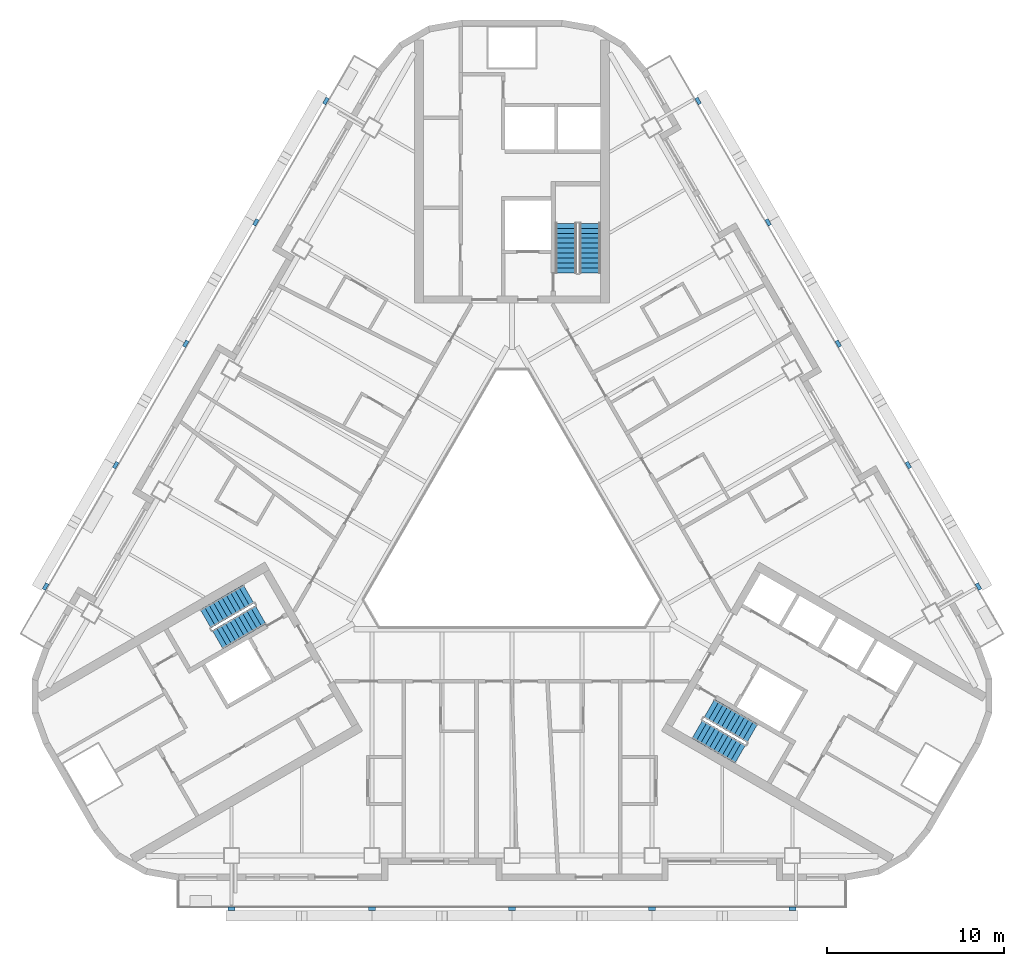
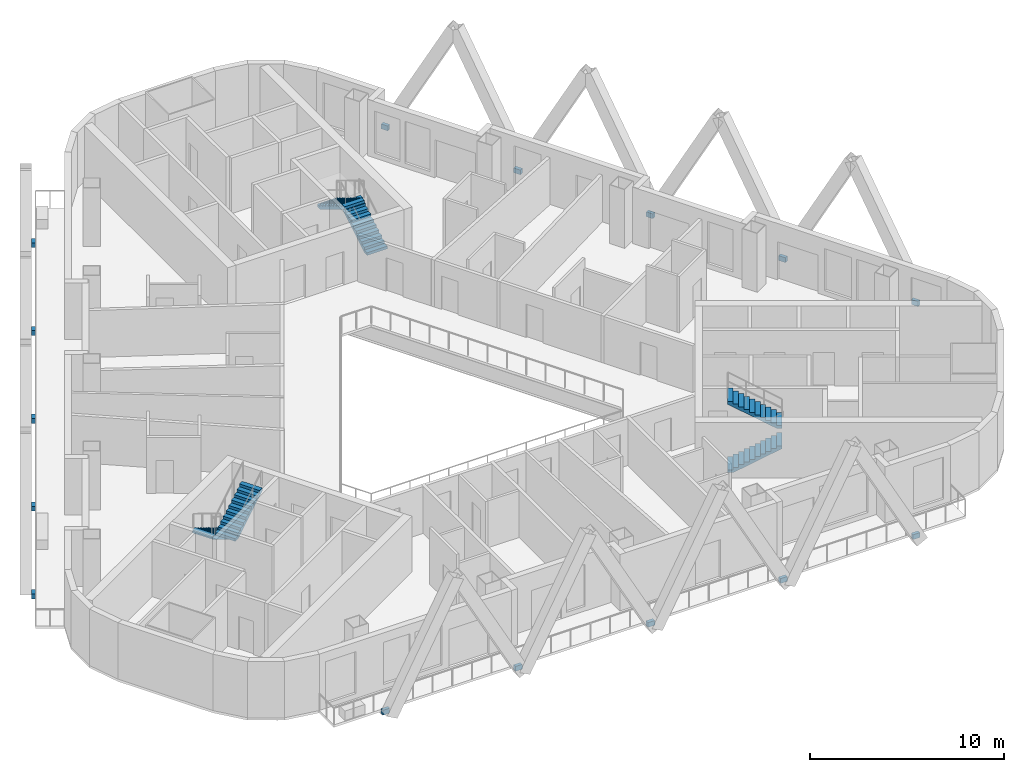
# One storey, part 8 of 14: 15 discrete accessories, 6 stair flights, 3 elements without a shape of their own.
"""IFC4 building model written with IfcOpenShell, lengths in metres."""

from ifc_helpers import new_model, si_unit, direction, frame, origin, origin_2d, place, context, subcontext, project, spatial, polyline, rectangle, outline, extrude, material, type_object, element, aggregate, save


model = new_model("IFC4")

# Units and contexts
model_context = context("Model", 3, precision=1e-05, world=origin(), true_north=direction((0.0, 1.0)))
body_context = subcontext(model_context, "Body", "Model", "MODEL_VIEW")
ifc_project = project(units=[si_unit("LENGTHUNIT", "METRE"), si_unit("AREAUNIT", "SQUARE_METRE"), si_unit("VOLUMEUNIT", "CUBIC_METRE"), si_unit("PLANEANGLEUNIT", "RADIAN"), si_unit("MASSUNIT", "GRAM", prefix="KILO")], contexts=[model_context])

# Site, building, storey
site_placement = place(None, origin())
site = spatial("IfcSite", under=ifc_project, at=site_placement, CompositionType="ELEMENT")
building_placement = place(site_placement, origin())
building = spatial("IfcBuilding", under=site, at=building_placement, Name="Apuvela Tower Hotel", CompositionType="ELEMENT")
storey_placement = place(building_placement, frame((0.0, 0.0, 90.89990234375)))
storey = spatial("IfcBuildingStorey", under=building, at=storey_placement, Name="L20", CompositionType="ELEMENT", Elevation=90.89990234375)

# Stair, stair flights
ifc_material_1 = material(Name="Concrete C50/60", Category="concrete")
stair_type = type_object("IfcStairType", Name="COR-STAIR-22R", PredefinedType="HALF_TURN_STAIR", material=ifc_material_1)
stair_1_placement = place(storey_placement, origin())
stair_1 = element("IfcStair", 1, at=stair_1_placement, inside=storey, type_object=stair_type, Name="L20 Exit stair ST1", PredefinedType="HALF_TURN_STAIR")
stair_flight_type = type_object("IfcStairFlightType", Name="COR-FLIGHT-11R", PredefinedType="STRAIGHT", material=ifc_material_1)
stair_flight_1_placement = place(storey_placement, frame((4.39990234375, 14.60009765625, 0.0), z_axis=(0.0, 0.0, 1.0), x_axis=(0.0, 1.0, 0.0)))
stair_flight_1 = element("IfcStairFlight", 2, at=stair_flight_1_placement, type_object=stair_flight_type, Name="ST1 flight 1", NumberOfRisers=11, NumberOfTreads=10, PredefinedType="STRAIGHT", RiserHeight=0.168181818, TreadLength=0.28, context=body_context, shape_type="SweptSolid", body=[
    extrude(outline(polyline([(0.0, 0.0), (0.0, 0.168212890625), (0.280029296875, 0.168212890625), (0.280029296875, 0.33642578125), (0.56005859375, 0.33642578125), (0.56005859375, 0.504638671875), (0.840087890625, 0.504638671875), (0.840087890625, 0.672607421875), (1.1201171875, 0.672607421875), (1.1201171875, 0.8408203125), (1.39990234375, 0.8408203125), (1.39990234375, 1.009033203125), (1.679931640625, 1.009033203125), (1.679931640625, 1.17724609375), (1.9599609375, 1.17724609375), (1.9599609375, 1.345458984375), (2.239990234375, 1.345458984375), (2.239990234375, 1.513671875), (2.52001953125, 1.513671875), (2.52001953125, 1.681884765625), (2.800048828125, 1.681884765625), (2.800048828125, 1.85009765625), (2.800048828125, 1.5068359375), (0.291015625, 0.0), (0.0, 0.0)])), frame((0.0, 0.60009765625, 0.0), z_axis=(0.0, -1.0, 0.0), x_axis=(1.0, 0.0, 0.0)), (0.0, 0.0, 1.0), 1.199951171875),
])
stair_flight_2_placement = place(storey_placement, frame((3.050048828125, 17.39990234375, 1.85009765625), z_axis=(0.0, 0.0, 1.0), x_axis=(0.0, -1.0, 0.0)))
stair_flight_2 = element("IfcStairFlight", 3, at=stair_flight_2_placement, type_object=stair_flight_type, Name="ST1 flight 2", NumberOfRisers=11, NumberOfTreads=10, PredefinedType="STRAIGHT", RiserHeight=0.168181818, TreadLength=0.28, context=body_context, shape_type="SweptSolid", body=[
    extrude(outline(polyline([(0.0, 0.0), (0.0, 0.168212890625), (0.280029296875, 0.168212890625), (0.280029296875, 0.33642578125), (0.56005859375, 0.33642578125), (0.56005859375, 0.504638671875), (0.840087890625, 0.504638671875), (0.840087890625, 0.672607421875), (1.1201171875, 0.672607421875), (1.1201171875, 0.8408203125), (1.39990234375, 0.8408203125), (1.39990234375, 1.009033203125), (1.679931640625, 1.009033203125), (1.679931640625, 1.17724609375), (1.9599609375, 1.17724609375), (1.9599609375, 1.345458984375), (2.239990234375, 1.345458984375), (2.239990234375, 1.513671875), (2.52001953125, 1.513671875), (2.52001953125, 1.681884765625), (2.800048828125, 1.681884765625), (2.800048828125, 1.85009765625), (2.800048828125, 1.5068359375), (0.291015625, 0.0), (0.0, 0.0)])), frame((0.0, 0.60009765625, 0.0), z_axis=(0.0, -1.0, 0.0), x_axis=(1.0, 0.0, 0.0)), (0.0, 0.0, 1.0), 1.199951171875),
])
aggregate(stair_1, [stair_flight_1, stair_flight_2])

stair_2_placement = place(storey_placement, origin())
stair_2 = element("IfcStair", 4, at=stair_2_placement, inside=storey, type_object=stair_type, Name="L20 Exit stair ST2", PredefinedType="HALF_TURN_STAIR")
stair_flight_3_placement = place(storey_placement, frame((-14.843994140625, -3.489501953125, 0.0), z_axis=(0.0, 0.0, 1.0), x_axis=(-0.866025403784, -0.5, 0.0)))
stair_flight_3 = element("IfcStairFlight", 5, at=stair_flight_3_placement, type_object=stair_flight_type, Name="ST2 flight 1", NumberOfRisers=11, NumberOfTreads=10, PredefinedType="STRAIGHT", RiserHeight=0.168181818, TreadLength=0.28, context=body_context, shape_type="SweptSolid", body=[
    extrude(outline(polyline([(0.0, 0.0), (0.0, 0.168212890625), (0.280029296875, 0.168212890625), (0.280029296875, 0.33642578125), (0.56005859375, 0.33642578125), (0.56005859375, 0.504638671875), (0.840087890625, 0.504638671875), (0.840087890625, 0.672607421875), (1.1201171875, 0.672607421875), (1.1201171875, 0.8408203125), (1.39990234375, 0.8408203125), (1.39990234375, 1.009033203125), (1.679931640625, 1.009033203125), (1.679931640625, 1.17724609375), (1.9599609375, 1.17724609375), (1.9599609375, 1.345458984375), (2.239990234375, 1.345458984375), (2.239990234375, 1.513671875), (2.52001953125, 1.513671875), (2.52001953125, 1.681884765625), (2.800048828125, 1.681884765625), (2.800048828125, 1.85009765625), (2.800048828125, 1.5068359375), (0.291015625, 0.0), (0.0, 0.0)])), frame((0.0, 0.60009765625, 0.0), z_axis=(0.0, -1.0, 0.0), x_axis=(1.0, 0.0, 0.0)), (0.0, 0.0, 1.0), 1.199951171875),
])
stair_flight_4_placement = place(storey_placement, frame((-16.59375, -6.05859375, 1.85009765625), z_axis=(0.0, 0.0, 1.0), x_axis=(0.866025403784, 0.5, 0.0)))
stair_flight_4 = element("IfcStairFlight", 6, at=stair_flight_4_placement, type_object=stair_flight_type, Name="ST2 flight 2", NumberOfRisers=11, NumberOfTreads=10, PredefinedType="STRAIGHT", RiserHeight=0.168181818, TreadLength=0.28, context=body_context, shape_type="SweptSolid", body=[
    extrude(outline(polyline([(0.0, 0.0), (0.0, 0.168212890625), (0.280029296875, 0.168212890625), (0.280029296875, 0.33642578125), (0.56005859375, 0.33642578125), (0.56005859375, 0.504638671875), (0.840087890625, 0.504638671875), (0.840087890625, 0.672607421875), (1.1201171875, 0.672607421875), (1.1201171875, 0.8408203125), (1.39990234375, 0.8408203125), (1.39990234375, 1.009033203125), (1.679931640625, 1.009033203125), (1.679931640625, 1.17724609375), (1.9599609375, 1.17724609375), (1.9599609375, 1.345458984375), (2.239990234375, 1.345458984375), (2.239990234375, 1.513671875), (2.52001953125, 1.513671875), (2.52001953125, 1.681884765625), (2.800048828125, 1.681884765625), (2.800048828125, 1.85009765625), (2.800048828125, 1.5068359375), (0.291015625, 0.0), (0.0, 0.0)])), frame((0.0, 0.60009765625, 0.0), z_axis=(0.0, -1.0, 0.0), x_axis=(1.0, 0.0, 0.0)), (0.0, 0.0, 1.0), 1.199951171875),
])
aggregate(stair_2, [stair_flight_3, stair_flight_4])

stair_3_placement = place(storey_placement, origin())
stair_3 = element("IfcStair", 7, at=stair_3_placement, inside=storey, type_object=stair_type, Name="L20 Exit stair ST3", PredefinedType="HALF_TURN_STAIR")
stair_flight_5_placement = place(storey_placement, frame((10.444091796875, -11.110595703125, 0.0), z_axis=(0.0, 0.0, 1.0), x_axis=(0.866025403784, -0.5, 0.0)))
stair_flight_5 = element("IfcStairFlight", 8, at=stair_flight_5_placement, type_object=stair_flight_type, Name="ST3 flight 1", NumberOfRisers=11, NumberOfTreads=10, PredefinedType="STRAIGHT", RiserHeight=0.168181818, TreadLength=0.28, context=body_context, shape_type="SweptSolid", body=[
    extrude(outline(polyline([(0.0, 0.0), (0.0, 0.168212890625), (0.280029296875, 0.168212890625), (0.280029296875, 0.33642578125), (0.56005859375, 0.33642578125), (0.56005859375, 0.504638671875), (0.840087890625, 0.504638671875), (0.840087890625, 0.672607421875), (1.1201171875, 0.672607421875), (1.1201171875, 0.8408203125), (1.39990234375, 0.8408203125), (1.39990234375, 1.009033203125), (1.679931640625, 1.009033203125), (1.679931640625, 1.17724609375), (1.9599609375, 1.17724609375), (1.9599609375, 1.345458984375), (2.239990234375, 1.345458984375), (2.239990234375, 1.513671875), (2.52001953125, 1.513671875), (2.52001953125, 1.681884765625), (2.800048828125, 1.681884765625), (2.800048828125, 1.85009765625), (2.800048828125, 1.5068359375), (0.291015625, 0.0), (0.0, 0.0)])), frame((0.0, 0.60009765625, 0.0), z_axis=(0.0, -1.0, 0.0), x_axis=(1.0, 0.0, 0.0)), (0.0, 0.0, 1.0), 1.199951171875),
])
stair_flight_6_placement = place(storey_placement, frame((13.5439453125, -11.34130859375, 1.85009765625), z_axis=(0.0, 0.0, 1.0), x_axis=(-0.866025403784, 0.5, 0.0)))
stair_flight_6 = element("IfcStairFlight", 9, at=stair_flight_6_placement, type_object=stair_flight_type, Name="ST3 flight 2", NumberOfRisers=11, NumberOfTreads=10, PredefinedType="STRAIGHT", RiserHeight=0.168181818, TreadLength=0.28, context=body_context, shape_type="SweptSolid", body=[
    extrude(outline(polyline([(0.0, 0.0), (0.0, 0.168212890625), (0.280029296875, 0.168212890625), (0.280029296875, 0.33642578125), (0.56005859375, 0.33642578125), (0.56005859375, 0.504638671875), (0.840087890625, 0.504638671875), (0.840087890625, 0.672607421875), (1.1201171875, 0.672607421875), (1.1201171875, 0.8408203125), (1.39990234375, 0.8408203125), (1.39990234375, 1.009033203125), (1.679931640625, 1.009033203125), (1.679931640625, 1.17724609375), (1.9599609375, 1.17724609375), (1.9599609375, 1.345458984375), (2.239990234375, 1.345458984375), (2.239990234375, 1.513671875), (2.52001953125, 1.513671875), (2.52001953125, 1.681884765625), (2.800048828125, 1.681884765625), (2.800048828125, 1.85009765625), (2.800048828125, 1.5068359375), (0.291015625, 0.0), (0.0, 0.0)])), frame((0.0, 0.60009765625, 0.0), z_axis=(0.0, -1.0, 0.0), x_axis=(1.0, 0.0, 0.0)), (0.0, 0.0, 1.0), 1.199951171875),
])
aggregate(stair_3, [stair_flight_5, stair_flight_6])

# Discrete accessories
ifc_material_2 = material(Name="Steel S355, black paint system", Category="steel")
discrete_accessory_type = type_object("IfcDiscreteAccessoryType", Name="ENV-FIN-BRACKET", PredefinedType="BRACKET", material=ifc_material_2)
for number, where, z_axis, x_axis, name in (
    (10, (26.28564453125, -3.068115234375, -0.25), (0.0, 0.0, 1.0), (-0.5, 0.866025403784, 0.0), "Fin bracket NE28"),
    (11, (22.335693359375, 3.7734375, -0.25), (0.0, 0.0, 1.0), (-0.5, 0.866025403784, 0.0), "Fin bracket NE29"),
    (12, (18.3857421875, 10.614990234375, -0.25), (0.0, 0.0, 1.0), (-0.5, 0.866025403784, 0.0), "Fin bracket NE30"),
    (13, (14.435791015625, 17.45654296875, -0.25), (0.0, 0.0, 1.0), (-0.5, 0.866025403784, 0.0), "Fin bracket NE31"),
    (14, (10.485595703125, 24.298095703125, -0.25), (0.0, 0.0, 1.0), (-0.5, 0.866025403784, 0.0), "Fin bracket NE32"),
    (15, (-10.485595703125, 24.298095703125, -0.25), (0.0, 0.0, 1.0), (-0.5, -0.866025403784, 0.0), "Fin bracket NW177"),
    (16, (-14.435791015625, 17.45654296875, -0.25), (0.0, 0.0, 1.0), (-0.5, -0.866025403784, 0.0), "Fin bracket NW178"),
    (17, (-18.3857421875, 10.614990234375, -0.25), (0.0, 0.0, 1.0), (-0.5, -0.866025403784, 0.0), "Fin bracket NW179"),
    (18, (-22.335693359375, 3.7734375, -0.25), (0.0, 0.0, 1.0), (-0.5, -0.866025403784, 0.0), "Fin bracket NW180"),
    (19, (-26.28564453125, -3.068115234375, -0.25), (0.0, 0.0, 1.0), (-0.5, -0.866025403784, 0.0), "Fin bracket NW181"),
    (20, (-15.800048828125, -21.22998046875, -0.25), (0.0, 0.0, 1.0), (1.0, 0.0, 0.0), "Fin bracket S327"),
    (21, (-7.89990234375, -21.22998046875, -0.25), (0.0, 0.0, 1.0), (1.0, 0.0, 0.0), "Fin bracket S328"),
    (22, (0.0, -21.22998046875, -0.25), (0.0, 0.0, 1.0), (1.0, 0.0, 0.0), "Fin bracket S329"),
    (23, (7.89990234375, -21.22998046875, -0.25), (0.0, 0.0, 1.0), (1.0, 0.0, 0.0), "Fin bracket S330"),
    (24, (15.800048828125, -21.22998046875, -0.25), (0.0, 0.0, 1.0), (1.0, 0.0, 0.0), "Fin bracket S331"),
):
    element("IfcDiscreteAccessory", number, at=place(storey_placement, frame(where, z_axis=z_axis, x_axis=x_axis)), inside=storey, type_object=discrete_accessory_type, Name=name, PredefinedType="BRACKET", context=body_context, shape_type="SweptSolid", body=[
        extrude(rectangle(XDim=0.39990234375, YDim=0.199951171875, at=origin_2d()), origin(), (0.0, 0.0, 1.0), 0.300048828125),
    ])

save(model, "model.ifc")
